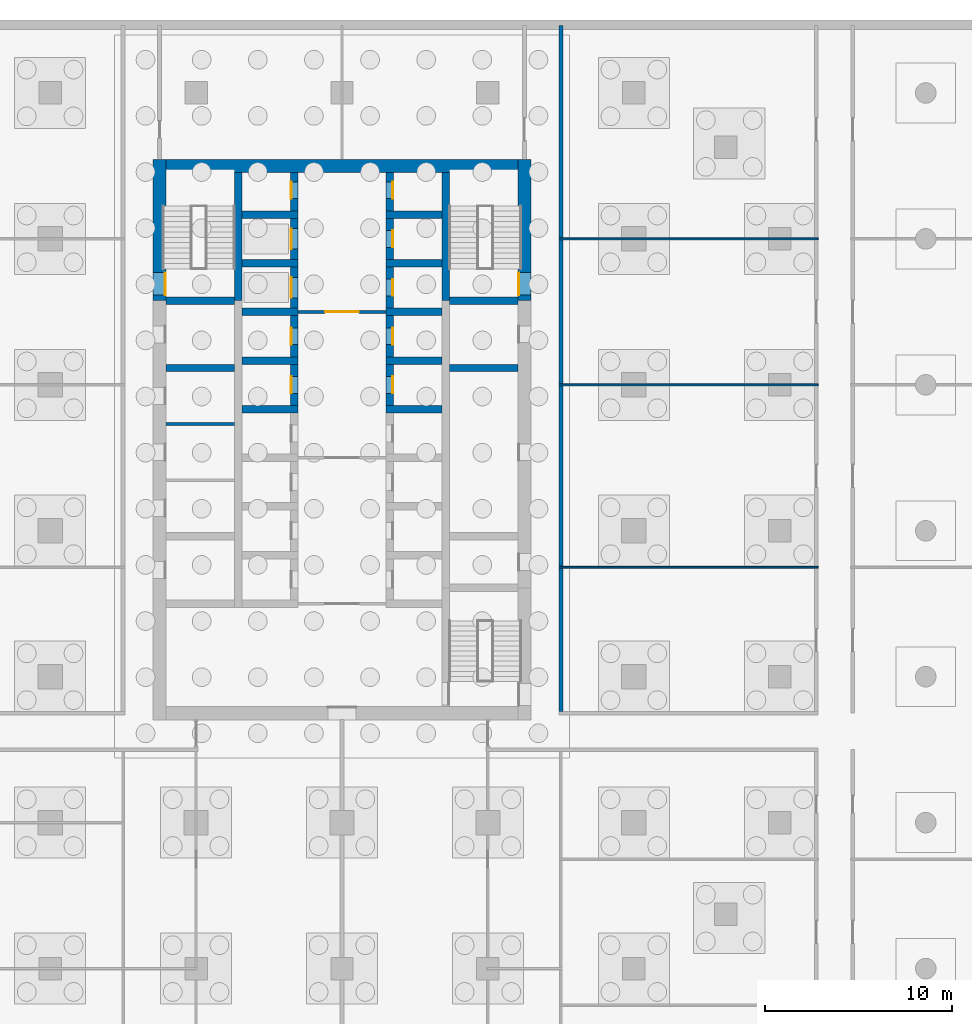
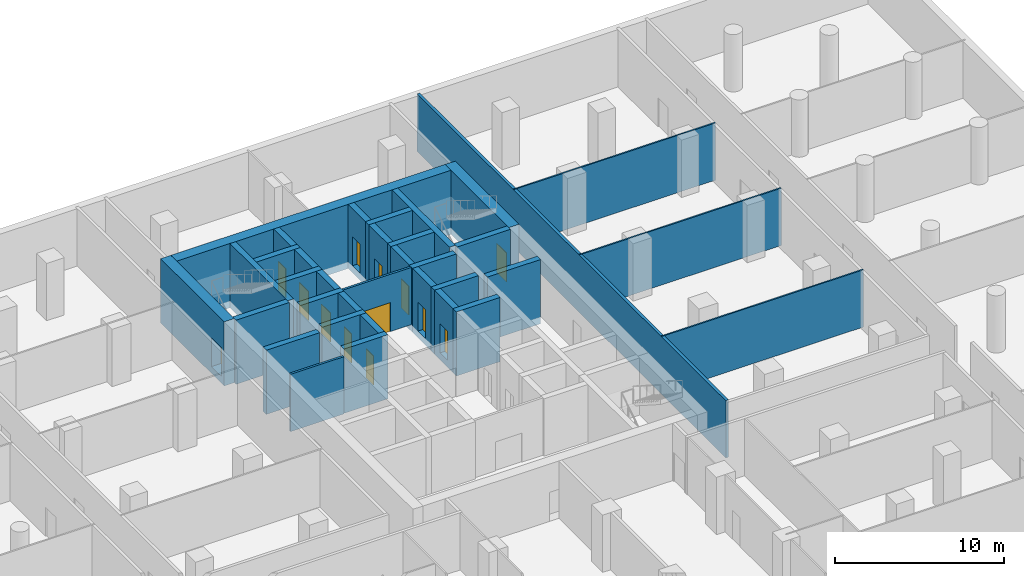
# One storey, part 8 of 16: 35 walls, 13 doors, 13 openings.
"""IFC4 building model written with IfcOpenShell, lengths in metres."""

import ifcopenshell
import ifcopenshell.guid

model = None  # the IFC model being written
_history = None  # IfcOwnerHistory: only IFC2X3 demands one
_inside = {}  # id of a spatial element -> (the spatial element, [elements in it])
_under = {}  # id of a project, library or spatial element -> (it, [spatial elements below it])
_declared = {}  # id of a project -> (the project, [libraries it declares])
_typed = {}  # id of a type object -> (the type object, [elements of that type])
_made_of = {}  # id of a material, layer set ... -> (it, [elements and type objects made of it])


def new_model(schema):
    """Start an empty IFC model of exactly this schema.

    Asked for "IFC4X3", IfcOpenShell would pick the latest addendum, in which some entities
    have other attributes; the version numbers below select the first issue.
    IFC2X3 requires an IfcOwnerHistory on every rooted entity: one is made here for all.
    """
    global model, _history
    if schema == "IFC4X3":
        model = ifcopenshell.file(schema_version=(4, 3, 0, 0))
    else:
        model = ifcopenshell.file(schema=schema)
    _inside.clear()
    _under.clear()
    _declared.clear()
    _typed.clear()
    _made_of.clear()
    _history = None
    if model.schema == "IFC2X3":
        org = make("IfcOrganization", Name="unknown")
        user = make(
            "IfcPersonAndOrganization",
            ThePerson=make("IfcPerson", FamilyName="unknown"),
            TheOrganization=org,
        )
        app = make(
            "IfcApplication",
            ApplicationDeveloper=org,
            Version="unknown",
            ApplicationFullName="unknown",
            ApplicationIdentifier="unknown",
        )
        _history = make(
            "IfcOwnerHistory",
            OwningUser=user,
            OwningApplication=app,
            ChangeAction="ADDED",
            CreationDate=0,
        )
    return model


def make(cls, **values):
    """One entity of the class cls with the attributes given. An attribute that is None is left unset."""
    return model.create_entity(
        cls, **{name: value for name, value in values.items() if value is not None}
    )


def rooted(cls, **values):
    """An entity with a GlobalId (a new one), such as an element, a storey or a relation."""
    return make(cls, GlobalId=ifcopenshell.guid.new(), OwnerHistory=_history, **values)


def si_unit(unit_type, name, prefix=None):
    """IfcSIUnit, for example si_unit("LENGTHUNIT", "METRE", prefix="MILLI")."""
    return make("IfcSIUnit", UnitType=unit_type, Prefix=prefix, Name=name)


def assignment(units):
    """IfcUnitAssignment: the units of a project."""
    return None if units is None else make("IfcUnitAssignment", Units=units)


def point(xyz):
    """IfcCartesianPoint."""
    return None if xyz is None else make("IfcCartesianPoint", Coordinates=xyz)


def direction(xyz):
    """IfcDirection."""
    return None if xyz is None else make("IfcDirection", DirectionRatios=xyz)


def frame(location, z_axis=None, x_axis=None):
    """IfcAxis2Placement3D, a coordinate frame: its origin and axes. An axis left out is left unset."""
    return make(
        "IfcAxis2Placement3D",
        Location=point(location),
        Axis=direction(z_axis),
        RefDirection=direction(x_axis),
    )


def frame_2d(location, x_axis=None):
    """IfcAxis2Placement2D, a coordinate frame in the plane: its origin and x axis."""
    return make(
        "IfcAxis2Placement2D", Location=point(location), RefDirection=direction(x_axis)
    )


def origin():
    """The frame at (0, 0, 0) with its axes left unset."""
    return frame((0.0, 0.0, 0.0))


def place(relative_to, where):
    """IfcLocalPlacement: puts the frame where relative to a parent placement (None: the world)."""
    return make(
        "IfcLocalPlacement", PlacementRelTo=relative_to, RelativePlacement=where
    )


def context(
    kind, dimensions, precision=None, world=None, true_north=None, identifier=None
):
    """IfcGeometricRepresentationContext, for example the 3D "Model" context."""
    return make(
        "IfcGeometricRepresentationContext",
        ContextIdentifier=identifier,
        ContextType=kind,
        CoordinateSpaceDimension=dimensions,
        Precision=precision,
        WorldCoordinateSystem=world,
        TrueNorth=true_north,
    )


def subcontext(parent, identifier, kind, view, scale=None):
    """IfcGeometricRepresentationSubContext, for example "Body" below "Model"."""
    return make(
        "IfcGeometricRepresentationSubContext",
        ContextIdentifier=identifier,
        ContextType=kind,
        ParentContext=parent,
        TargetScale=scale,
        TargetView=view,
    )


def project(units=None, contexts=None):
    """IfcProject with its units and contexts."""
    return rooted(
        "IfcProject",
        Name="project",
        RepresentationContexts=contexts,
        UnitsInContext=assignment(units),
    )


def spatial(cls, under=None, at=None, **own):
    """A site, building, storey or space (cls), placed at a placement, below another one or the project."""
    s = rooted(cls, ObjectPlacement=at, **own)
    if under is not None:
        _under.setdefault(under.id(), (under, []))[1].append(s)
    return s


def profile(cls, at=None, kind="AREA", **sizes):
    """A parametric profile (cls). Its sizes go by their IFC names, for example OverallWidth=200.0."""
    return make(cls, ProfileType=kind, Position=at, **sizes)


def rectangle(**sizes):
    """IfcRectangleProfileDef."""
    return profile("IfcRectangleProfileDef", **sizes)


def extrude(swept, where, along, depth):
    """IfcExtrudedAreaSolid: the profile swept, set in the frame where, extruded along a direction by depth."""
    return make(
        "IfcExtrudedAreaSolid",
        SweptArea=swept,
        Position=where,
        ExtrudedDirection=direction(along),
        Depth=depth,
    )


def shape(context_of_items, identifier, shape_type, items):
    """IfcShapeRepresentation: the items that make up one representation, for example the "Body"."""
    return make(
        "IfcShapeRepresentation",
        ContextOfItems=context_of_items,
        RepresentationIdentifier=identifier,
        RepresentationType=shape_type,
        Items=items,
    )


def material(Name=None, Category=None):
    """IfcMaterial."""
    return make("IfcMaterial", Name=Name, Category=Category)


def layer(
    of_material, thickness, ventilated=None, Name=None, Category=None, Priority=None
):
    """IfcMaterialLayer: one layer of a wall or slab, of a material (None: an air gap)."""
    return make(
        "IfcMaterialLayer",
        Material=of_material,
        LayerThickness=thickness,
        IsVentilated=ventilated,
        Name=Name,
        Category=Category,
        Priority=Priority,
    )


def layer_set(layers, Name=None):
    """IfcMaterialLayerSet."""
    return make("IfcMaterialLayerSet", MaterialLayers=layers, LayerSetName=Name)


def made_of(thing, what):
    """Note that an element or type object is made of a material, layer set ...; save() writes the relation."""
    if what is not None:
        _made_of.setdefault(what.id(), (what, []))[1].append(thing)
    return thing


def type_object(cls, material=None, **own):
    """A type object (cls), such as IfcWallType, which elements share."""
    return made_of(rooted(cls, **own), material)


def element(
    cls,
    number,
    at=None,
    inside=None,
    cuts=None,
    type_object=None,
    material=None,
    context=None,
    identifier="Body",
    shape_type=None,
    held_by="IfcProductDefinitionShape",
    body=None,
    shapes=None,
    **own,
):
    """One element of the class cls, such as IfcWall. Its Tag is "e" and its number.

    at: its placement. inside: the storey or other place that contains it. cuts: it is an
    opening in that element (IfcRelVoidsElement). A single representation is given by context,
    identifier, shape_type and body (its items); several are given by shapes. held_by: the class
    of the entity that holds the representations. save() writes the other relations.
    """
    e = rooted(cls, Tag="e%d" % number, ObjectPlacement=at, **own)
    if body is not None:
        shapes = [shape(context, identifier, shape_type, body)]
    if shapes is not None:
        e.Representation = make(held_by, Representations=shapes)
    if inside is not None:
        _inside.setdefault(inside.id(), (inside, []))[1].append(e)
    if cuts is not None:
        rooted(
            "IfcRelVoidsElement", RelatingBuildingElement=cuts, RelatedOpeningElement=e
        )
    if type_object is not None:
        _typed.setdefault(type_object.id(), (type_object, []))[1].append(e)
    return made_of(e, material)


def fill(opening, filler):
    """IfcRelFillsElement: the door or window that sits in an opening."""
    return rooted(
        "IfcRelFillsElement",
        RelatingOpeningElement=opening,
        RelatedBuildingElement=filler,
    )


def aggregate(whole, parts):
    """IfcRelAggregates: a whole, such as a stair, and the parts it consists of."""
    return rooted("IfcRelAggregates", RelatingObject=whole, RelatedObjects=parts)


def save(model, path):
    """Write the relations noted so far, then the file.

    IfcRelAggregates (storeys below a building ...), IfcRelContainedInSpatialStructure (elements
    in a storey), IfcRelDefinesByType, IfcRelAssociatesMaterial and IfcRelDeclares: one each for
    every whole, place, type object, material and project.
    """
    for whole, parts in _under.values():
        aggregate(whole, parts)
    for where, things in _inside.values():
        rooted(
            "IfcRelContainedInSpatialStructure",
            RelatedElements=things,
            RelatingStructure=where,
        )
    for kind, things in _typed.values():
        rooted("IfcRelDefinesByType", RelatedObjects=things, RelatingType=kind)
    for what, things in _made_of.values():
        rooted("IfcRelAssociatesMaterial", RelatedObjects=things, RelatingMaterial=what)
    for by, libraries in _declared.values():
        rooted("IfcRelDeclares", RelatingContext=by, RelatedDefinitions=libraries)
    model.write(path)


model = new_model("IFC4")

# Units and contexts
model_context = context("Model", 3, precision=1e-05, world=origin(), true_north=direction((0.0, 1.0)))
body_context = subcontext(model_context, "Body", "Model", "MODEL_VIEW")
ifc_project = project(units=[si_unit("LENGTHUNIT", "METRE"), si_unit("AREAUNIT", "SQUARE_METRE"), si_unit("VOLUMEUNIT", "CUBIC_METRE"), si_unit("PLANEANGLEUNIT", "RADIAN"), si_unit("MASSUNIT", "GRAM", prefix="KILO")], contexts=[model_context])

# Site, building, storey
site_placement = place(None, origin())
site = spatial("IfcSite", under=ifc_project, at=site_placement, CompositionType="ELEMENT")
building_placement = place(site_placement, origin())
building = spatial("IfcBuilding", under=site, at=building_placement, Name="Ludao Terraces", CompositionType="ELEMENT")
storey_placement = place(building_placement, frame((0.0, 0.0, -9.0)))
storey = spatial("IfcBuildingStorey", under=building, at=storey_placement, Name="B2", CompositionType="ELEMENT", Elevation=-9.0)

# Wall, opening, door
ifc_material_1 = material(Name="Concrete C70", Category="concrete")
ifc_layer_1 = layer(ifc_material_1, 0.699951171875)
ifc_layer_set_1 = layer_set([ifc_layer_1], Name="Core wall 700 C70")
wall_type_1 = type_object("IfcWallType", Name="Core wall 700 C70", PredefinedType="SOLIDWALL", material=ifc_layer_set_1)
wall_1_placement = place(storey_placement, frame((75.25, 77.300048828125, -0.5), z_axis=(0.0, 0.0, 1.0), x_axis=(0.0, 1.0, 0.0)))
wall_1 = element("IfcWall", 1, at=wall_1_placement, inside=storey, type_object=wall_type_1, Name="Core wall B2 outer-W-S1", PredefinedType="SOLIDWALL", context=body_context, shape_type="SweptSolid", body=[
    extrude(rectangle(XDim=7.550048828125, YDim=0.699951171875, at=frame_2d((3.77490234375, 0.0))), origin(), (0.0, 0.0, 1.0), 4.64990234375),
])
opening_1_placement = place(wall_1_placement, frame((0.300048828125, 0.0, 0.5)))
opening_1 = element("IfcOpeningElement", 2, at=opening_1_placement, cuts=wall_1, Name="Opening B2-065", PredefinedType="OPENING", context=body_context, shape_type="SweptSolid", body=[
    extrude(rectangle(XDim=1.199951171875, YDim=2.10009765625, at=frame_2d((0.60009765625, 1.050048828125))), frame((0.0, 0.35986328125, 0.0), z_axis=(0.0, -1.0, 0.0), x_axis=(1.0, 0.0, 0.0)), (0.0, 0.0, 1.0), 0.719970703125),
])
ifc_material_2 = material(Name="Steel Q235", Category="steel")
door_type_1 = type_object("IfcDoorType", Name="INT Stair door 1200", OperationType="DOUBLE_DOOR_SINGLE_SWING", PredefinedType="DOOR", material=ifc_material_2)
door_1_placement = place(opening_1_placement, origin())
door_1 = element("IfcDoor", 3, at=door_1_placement, inside=storey, type_object=door_type_1, Name="DOOR 065", OperationType="DOUBLE_DOOR_SINGLE_SWING", OverallHeight=2.10009765625, OverallWidth=1.199951171875, PredefinedType="DOOR", context=body_context, shape_type="SweptSolid", body=[
    extrude(rectangle(XDim=1.199951171875, YDim=2.10009765625, at=frame_2d((0.60009765625, 1.050048828125))), frame((0.0, -0.28515625, 0.0), z_axis=(0.0, -1.0, 0.0), x_axis=(1.0, 0.0, 0.0)), (0.0, 0.0, 1.0), 0.050048828125),
])
fill(opening_1, door_1)

wall_2_placement = place(storey_placement, frame((94.75, 77.300048828125, -0.5), z_axis=(0.0, 0.0, 1.0), x_axis=(0.0, 1.0, 0.0)))
wall_2 = element("IfcWall", 4, at=wall_2_placement, inside=storey, type_object=wall_type_1, Name="Core wall B2 outer-E-S2", PredefinedType="SOLIDWALL", context=body_context, shape_type="SweptSolid", body=[
    extrude(rectangle(XDim=7.550048828125, YDim=0.699951171875, at=frame_2d((3.77490234375, 0.0))), origin(), (0.0, 0.0, 1.0), 4.64990234375),
])
opening_2_placement = place(wall_2_placement, frame((0.300048828125, 0.0, 0.5)))
opening_2 = element("IfcOpeningElement", 5, at=opening_2_placement, cuts=wall_2, Name="Opening B2-066", PredefinedType="OPENING", context=body_context, shape_type="SweptSolid", body=[
    extrude(rectangle(XDim=1.199951171875, YDim=2.10009765625, at=frame_2d((0.60009765625, 1.050048828125))), frame((0.0, 0.35986328125, 0.0), z_axis=(0.0, -1.0, 0.0), x_axis=(1.0, 0.0, 0.0)), (0.0, 0.0, 1.0), 0.719970703125),
])
door_2_placement = place(opening_2_placement, origin())
door_2 = element("IfcDoor", 6, at=door_2_placement, inside=storey, type_object=door_type_1, Name="DOOR 066", OperationType="DOUBLE_DOOR_SINGLE_SWING", OverallHeight=2.10009765625, OverallWidth=1.199951171875, PredefinedType="DOOR", context=body_context, shape_type="SweptSolid", body=[
    extrude(rectangle(XDim=1.199951171875, YDim=2.10009765625, at=frame_2d((0.60009765625, 1.050048828125))), frame((0.0, 0.3349609375, 0.0), z_axis=(0.0, -1.0, 0.0), x_axis=(1.0, 0.0, 0.0)), (0.0, 0.0, 1.0), 0.050048828125),
])
fill(opening_2, door_2)

# Walls
wall_3_placement = place(storey_placement, frame((75.60009765625, 84.5, -0.5), z_axis=(0.0, 0.0, 1.0), x_axis=(1.0, 0.0, 0.0)))
element("IfcWall", 7, at=wall_3_placement, inside=storey, type_object=wall_type_1, Name="Core wall B2 outer-N", PredefinedType="SOLIDWALL", context=body_context, shape_type="SweptSolid", body=[
    extrude(rectangle(XDim=18.7998046875, YDim=0.699951171875, at=frame_2d((9.39990234375, 0.0))), origin(), (0.0, 0.0, 1.0), 4.64990234375),
])
ifc_material_3 = material(Name="Fire-rated gypsum plasterboard", Category="gypsum")
ifc_layer_2 = layer(ifc_material_3, 0.012451171875, Category="gypsum")
ifc_material_4 = material(Name="Mineral wool")
ifc_layer_3 = layer(ifc_material_4, 0.10009765625, Name="insulation")
ifc_layer_4 = layer(ifc_material_2, 0.02490234375, Name="stud")
ifc_layer_5 = layer(ifc_material_3, 0.012451171875, Category="gypsum")
ifc_layer_set_2 = layer_set([ifc_layer_2, ifc_layer_3, ifc_layer_4, ifc_layer_5], Name="INT Core partition 150")
wall_type_2 = type_object("IfcWallType", Name="INT Core partition 150", PredefinedType="PARTITIONING", material=ifc_layer_set_2)
wall_4_placement = place(storey_placement, frame((75.60009765625, 70.699951171875, 0.0), z_axis=(0.0, 0.0, 1.0), x_axis=(1.0, 0.0, 0.0)))
element("IfcWall", 8, at=wall_4_placement, inside=storey, type_object=wall_type_2, Name="PW-B2-PW026", PredefinedType="PARTITIONING", context=body_context, shape_type="SweptSolid", body=[
    extrude(rectangle(XDim=3.64990234375, YDim=0.14990234375, at=frame_2d((1.824951171875, 0.0))), origin(), (0.0, 0.0, 1.0), 4.14990234375),
])

# Wall, opening, door
wall_5_placement = place(storey_placement, frame((82.650146484375, 76.699951171875, 0.0), z_axis=(0.0, 0.0, 1.0), x_axis=(1.0, 0.0, 0.0)))
wall_5 = element("IfcWall", 9, at=wall_5_placement, inside=storey, type_object=wall_type_2, Name="PW-B2-PW031", PredefinedType="PARTITIONING", context=body_context, shape_type="SweptSolid", body=[
    extrude(rectangle(XDim=4.699951171875, YDim=0.14990234375, at=frame_2d((2.35009765625, 0.0))), origin(), (0.0, 0.0, 1.0), 4.14990234375),
])
opening_3_placement = place(wall_5_placement, frame((1.449951171875, 0.0, 0.0)))
opening_3 = element("IfcOpeningElement", 10, at=opening_3_placement, cuts=wall_5, Name="Opening B2-060", PredefinedType="OPENING", context=body_context, shape_type="SweptSolid", body=[
    extrude(rectangle(XDim=1.800048828125, YDim=2.10009765625, at=frame_2d((0.89990234375, 1.050048828125))), frame((0.0, 0.0849609375, 0.0), z_axis=(0.0, -1.0, 0.0), x_axis=(1.0, 0.0, 0.0)), (0.0, 0.0, 1.0), 0.169921875),
])
door_type_2 = type_object("IfcDoorType", Name="INT Fire lobby door 1800", OperationType="DOUBLE_DOOR_SINGLE_SWING", PredefinedType="DOOR", material=ifc_material_2)
door_3_placement = place(opening_3_placement, origin())
door_3 = element("IfcDoor", 11, at=door_3_placement, inside=storey, type_object=door_type_2, Name="DOOR 060", OperationType="DOUBLE_DOOR_SINGLE_SWING", OverallHeight=2.10009765625, OverallWidth=1.800048828125, PredefinedType="DOOR", context=body_context, shape_type="SweptSolid", body=[
    extrude(rectangle(XDim=1.800048828125, YDim=2.10009765625, at=frame_2d((0.89990234375, 1.050048828125))), frame((0.0, 0.02490234375, 0.0), z_axis=(0.0, -1.0, 0.0), x_axis=(1.0, 0.0, 0.0)), (0.0, 0.0, 1.0), 0.050048828125),
])
fill(opening_3, door_3)

# Walls
ifc_material_5 = material(Name="Autoclaved aerated concrete block B06 A3.5", Category="concrete")
ifc_layer_6 = layer(ifc_material_5, 0.199951171875)
ifc_layer_set_3 = layer_set([ifc_layer_6], Name="INT Entrance wall 200")
wall_type_3 = type_object("IfcWallType", Name="INT Entrance wall 200", PredefinedType="PARTITIONING", material=ifc_layer_set_3)
wall_6_placement = place(storey_placement, frame((96.699951171875, 55.35009765625, 0.0), z_axis=(0.0, 0.0, 1.0), x_axis=(0.0, 1.0, 0.0)))
element("IfcWall", 12, at=wall_6_placement, inside=storey, type_object=wall_type_3, Name="PW-B2-PW053", PredefinedType="PARTITIONING", context=body_context, shape_type="SweptSolid", body=[
    extrude(rectangle(XDim=36.64990234375, YDim=0.199951171875, at=frame_2d((18.324951171875, 0.0))), origin(), (0.0, 0.0, 1.0), 4.14990234375),
])
ifc_material_6 = material(Name="Gypsum plasterboard", Category="gypsum")
ifc_layer_7 = layer(ifc_material_6, 0.012451171875, Category="gypsum")
ifc_layer_8 = layer(ifc_material_4, 0.06005859375, Name="insulation")
ifc_layer_9 = layer(ifc_material_2, 0.014892578125, Name="stud")
ifc_layer_10 = layer(ifc_material_6, 0.012451171875, Category="gypsum")
ifc_layer_set_4 = layer_set([ifc_layer_7, ifc_layer_8, ifc_layer_9, ifc_layer_10], Name="INT Partition 100")
wall_type_4 = type_object("IfcWallType", Name="INT Partition 100", PredefinedType="PARTITIONING", material=ifc_layer_set_4)
for number, where, z_axis, x_axis, name in (
    (13, (96.60009765625, 63.050048828125, 0.0), (0.0, 0.0, 1.0), (1.0, 0.0, 0.0), "PW-B2-PW022"),
    (14, (96.60009765625, 72.800048828125, 0.0), (0.0, 0.0, 1.0), (1.0, 0.0, 0.0), "PW-B2-PW029"),
    (15, (96.60009765625, 80.60009765625, 0.0), (0.0, 0.0, 1.0), (1.0, 0.0, 0.0), "PW-B2-PW034"),
):
    element("IfcWall", number, at=place(storey_placement, frame(where, z_axis=z_axis, x_axis=x_axis)), inside=storey, type_object=wall_type_4, Name=name, PredefinedType="PARTITIONING", context=body_context, shape_type="SweptSolid", body=[
        extrude(rectangle(XDim=13.85009765625, YDim=0.10009765625, at=frame_2d((6.925048828125, 0.0))), origin(), (0.0, 0.0, 1.0), 4.14990234375),
    ])
ifc_material_7 = material(Name="Concrete C60", Category="concrete")
ifc_layer_11 = layer(ifc_material_7, 0.39990234375)
ifc_layer_set_5 = layer_set([ifc_layer_11], Name="Shaft wall 400 C60")
wall_type_5 = type_object("IfcWallType", Name="Shaft wall 400 C60", PredefinedType="SOLIDWALL", material=ifc_layer_set_5)
for number, where, z_axis, x_axis, name in (
    (16, (79.449951171875, 77.300048828125, -0.5), (0.0, 0.0, 1.0), (0.0, 1.0, 0.0), "Core wall B2 back-W-S1"),
    (17, (90.550048828125, 77.300048828125, -0.5), (0.0, 0.0, 1.0), (0.0, 1.0, 0.0), "Core wall B2 back-E-S2"),
):
    element("IfcWall", number, at=place(storey_placement, frame(where, z_axis=z_axis, x_axis=x_axis)), inside=storey, type_object=wall_type_5, Name=name, PredefinedType="SOLIDWALL", context=body_context, shape_type="SweptSolid", body=[
        extrude(rectangle(XDim=6.849853515625, YDim=0.39990234375, at=frame_2d((3.4248046875, 0.0))), origin(), (0.0, 0.0, 1.0), 4.64990234375),
    ])
wall_7_placement = place(storey_placement, frame((79.64990234375, 71.5, -0.5), z_axis=(0.0, 0.0, 1.0), x_axis=(1.0, 0.0, 0.0)))
element("IfcWall", 18, at=wall_7_placement, inside=storey, type_object=wall_type_5, Name="Core wall B2 div-W5", PredefinedType="SOLIDWALL", context=body_context, shape_type="SweptSolid", body=[
    extrude(rectangle(XDim=3.0, YDim=0.39990234375, at=frame_2d((1.5, 0.0))), origin(), (0.0, 0.0, 1.0), 4.64990234375),
])

# Wall, opening, door
wall_8_placement = place(storey_placement, frame((82.449951171875, 71.699951171875, -0.5), z_axis=(0.0, 0.0, 1.0), x_axis=(0.0, 1.0, 0.0)))
wall_8 = element("IfcWall", 19, at=wall_8_placement, inside=storey, type_object=wall_type_5, Name="Core wall B2 front-W5", PredefinedType="SOLIDWALL", context=body_context, shape_type="SweptSolid", body=[
    extrude(rectangle(XDim=2.199951171875, YDim=0.39990234375, at=frame_2d((1.10009765625, 0.0))), origin(), (0.0, 0.0, 1.0), 4.64990234375),
])
opening_4_placement = place(wall_8_placement, frame((0.64990234375, 0.0, 0.5)))
opening_4 = element("IfcOpeningElement", 20, at=opening_4_placement, cuts=wall_8, Name="Opening B2-052", PredefinedType="OPENING", context=body_context, shape_type="SweptSolid", body=[
    extrude(rectangle(XDim=0.89990234375, YDim=2.10009765625, at=frame_2d((0.449951171875, 1.050048828125))), frame((0.0, 0.2099609375, 0.0), z_axis=(0.0, -1.0, 0.0), x_axis=(1.0, 0.0, 0.0)), (0.0, 0.0, 1.0), 0.419921875),
])
ifc_material_8 = material(Name="Timber door leaf", Category="wood")
door_type_3 = type_object("IfcDoorType", Name="INT Room door 900", OperationType="SINGLE_SWING_LEFT", PredefinedType="DOOR", material=ifc_material_8)
door_4_placement = place(opening_4_placement, origin())
door_4 = element("IfcDoor", 21, at=door_4_placement, inside=storey, type_object=door_type_3, Name="DOOR 052", OperationType="SINGLE_SWING_LEFT", OverallHeight=2.10009765625, OverallWidth=0.89990234375, PredefinedType="DOOR", context=body_context, shape_type="SweptSolid", body=[
    extrude(rectangle(XDim=0.89990234375, YDim=2.10009765625, at=frame_2d((0.449951171875, 1.050048828125))), frame((0.0, 0.18505859375, 0.0), z_axis=(0.0, -1.0, 0.0), x_axis=(1.0, 0.0, 0.0)), (0.0, 0.0, 1.0), 0.050048828125),
])
fill(opening_4, door_4)

# Wall
wall_9_placement = place(storey_placement, frame((79.64990234375, 74.10009765625, -0.5), z_axis=(0.0, 0.0, 1.0), x_axis=(1.0, 0.0, 0.0)))
element("IfcWall", 22, at=wall_9_placement, inside=storey, type_object=wall_type_5, Name="Core wall B2 div-W6", PredefinedType="SOLIDWALL", context=body_context, shape_type="SweptSolid", body=[
    extrude(rectangle(XDim=3.0, YDim=0.39990234375, at=frame_2d((1.5, 0.0))), origin(), (0.0, 0.0, 1.0), 4.64990234375),
])

# Wall, opening, door
wall_10_placement = place(storey_placement, frame((82.449951171875, 74.300048828125, -0.5), z_axis=(0.0, 0.0, 1.0), x_axis=(0.0, 1.0, 0.0)))
wall_10 = element("IfcWall", 23, at=wall_10_placement, inside=storey, type_object=wall_type_5, Name="Core wall B2 front-W6", PredefinedType="SOLIDWALL", context=body_context, shape_type="SweptSolid", body=[
    extrude(rectangle(XDim=2.199951171875, YDim=0.39990234375, at=frame_2d((1.10009765625, 0.0))), origin(), (0.0, 0.0, 1.0), 4.64990234375),
])
opening_5_placement = place(wall_10_placement, frame((0.64990234375, 0.0, 0.5)))
opening_5 = element("IfcOpeningElement", 24, at=opening_5_placement, cuts=wall_10, Name="Opening B2-054", PredefinedType="OPENING", context=body_context, shape_type="SweptSolid", body=[
    extrude(rectangle(XDim=0.89990234375, YDim=2.10009765625, at=frame_2d((0.449951171875, 1.050048828125))), frame((0.0, 0.2099609375, 0.0), z_axis=(0.0, -1.0, 0.0), x_axis=(1.0, 0.0, 0.0)), (0.0, 0.0, 1.0), 0.419921875),
])
door_5_placement = place(opening_5_placement, origin())
door_5 = element("IfcDoor", 25, at=door_5_placement, inside=storey, type_object=door_type_3, Name="DOOR 054", OperationType="SINGLE_SWING_RIGHT", OverallHeight=2.10009765625, OverallWidth=0.89990234375, PredefinedType="DOOR", context=body_context, shape_type="SweptSolid", body=[
    extrude(rectangle(XDim=0.89990234375, YDim=2.10009765625, at=frame_2d((0.449951171875, 1.050048828125))), frame((0.0, 0.18505859375, 0.0), z_axis=(0.0, -1.0, 0.0), x_axis=(1.0, 0.0, 0.0)), (0.0, 0.0, 1.0), 0.050048828125),
])
fill(opening_5, door_5)

# Wall
wall_11_placement = place(storey_placement, frame((79.64990234375, 76.699951171875, -0.5), z_axis=(0.0, 0.0, 1.0), x_axis=(1.0, 0.0, 0.0)))
element("IfcWall", 26, at=wall_11_placement, inside=storey, type_object=wall_type_5, Name="Core wall B2 div-W7", PredefinedType="SOLIDWALL", context=body_context, shape_type="SweptSolid", body=[
    extrude(rectangle(XDim=3.0, YDim=0.39990234375, at=frame_2d((1.5, 0.0))), origin(), (0.0, 0.0, 1.0), 4.64990234375),
])

# Wall, opening, door
wall_12_placement = place(storey_placement, frame((82.449951171875, 76.89990234375, -0.5), z_axis=(0.0, 0.0, 1.0), x_axis=(0.0, 1.0, 0.0)))
wall_12 = element("IfcWall", 27, at=wall_12_placement, inside=storey, type_object=wall_type_5, Name="Core wall B2 front-W7", PredefinedType="SOLIDWALL", context=body_context, shape_type="SweptSolid", body=[
    extrude(rectangle(XDim=2.2001953125, YDim=0.39990234375, at=frame_2d((1.10009765625, 0.0))), origin(), (0.0, 0.0, 1.0), 4.64990234375),
])
opening_6_placement = place(wall_12_placement, frame((0.550048828125, 0.0, 0.5)))
opening_6 = element("IfcOpeningElement", 28, at=opening_6_placement, cuts=wall_12, Name="Opening LD-FF1", PredefinedType="OPENING", context=body_context, shape_type="SweptSolid", body=[
    extrude(rectangle(XDim=1.10009765625, YDim=2.10009765625, at=frame_2d((0.550048828125, 1.050048828125))), frame((0.0, 0.2099609375, 0.0), z_axis=(0.0, -1.0, 0.0), x_axis=(1.0, 0.0, 0.0)), (0.0, 0.0, 1.0), 0.419921875),
])
ifc_material_9 = material(Name="Stainless steel 304", Category="steel")
door_type_4 = type_object("IfcDoorType", Name="INT Lift landing door 1100", OperationType="SLIDING_TO_LEFT", PredefinedType="DOOR", material=ifc_material_9)
door_6_placement = place(opening_6_placement, origin())
door_6 = element("IfcDoor", 29, at=door_6_placement, inside=storey, type_object=door_type_4, Name="LANDING DOOR FF1 B2", OperationType="SLIDING_TO_LEFT", OverallHeight=2.10009765625, OverallWidth=1.10009765625, PredefinedType="DOOR", context=body_context, shape_type="SweptSolid", body=[
    extrude(rectangle(XDim=1.10009765625, YDim=2.10009765625, at=frame_2d((0.550048828125, 1.050048828125))), frame((0.0, 0.18505859375, 0.0), z_axis=(0.0, -1.0, 0.0), x_axis=(1.0, 0.0, 0.0)), (0.0, 0.0, 1.0), 0.050048828125),
])
fill(opening_6, door_6)

# Wall
wall_13_placement = place(storey_placement, frame((79.64990234375, 79.300048828125, -0.5), z_axis=(0.0, 0.0, 1.0), x_axis=(1.0, 0.0, 0.0)))
element("IfcWall", 30, at=wall_13_placement, inside=storey, type_object=wall_type_5, Name="Core wall B2 div-W8", PredefinedType="SOLIDWALL", context=body_context, shape_type="SweptSolid", body=[
    extrude(rectangle(XDim=3.0, YDim=0.39990234375, at=frame_2d((1.5, 0.0))), origin(), (0.0, 0.0, 1.0), 4.64990234375),
])

# Wall, opening, door
wall_14_placement = place(storey_placement, frame((82.449951171875, 79.5, -0.5), z_axis=(0.0, 0.0, 1.0), x_axis=(0.0, 1.0, 0.0)))
wall_14 = element("IfcWall", 31, at=wall_14_placement, inside=storey, type_object=wall_type_5, Name="Core wall B2 front-W8", PredefinedType="SOLIDWALL", context=body_context, shape_type="SweptSolid", body=[
    extrude(rectangle(XDim=2.199951171875, YDim=0.39990234375, at=frame_2d((1.10009765625, 0.0))), origin(), (0.0, 0.0, 1.0), 4.64990234375),
])
opening_7_placement = place(wall_14_placement, frame((0.550048828125, 0.0, 0.5)))
opening_7 = element("IfcOpeningElement", 32, at=opening_7_placement, cuts=wall_14, Name="Opening LD-FF2", PredefinedType="OPENING", context=body_context, shape_type="SweptSolid", body=[
    extrude(rectangle(XDim=1.10009765625, YDim=2.10009765625, at=frame_2d((0.550048828125, 1.050048828125))), frame((0.0, 0.2099609375, 0.0), z_axis=(0.0, -1.0, 0.0), x_axis=(1.0, 0.0, 0.0)), (0.0, 0.0, 1.0), 0.419921875),
])
door_7_placement = place(opening_7_placement, origin())
door_7 = element("IfcDoor", 33, at=door_7_placement, inside=storey, type_object=door_type_4, Name="LANDING DOOR FF2 B2", OperationType="SLIDING_TO_LEFT", OverallHeight=2.10009765625, OverallWidth=1.10009765625, PredefinedType="DOOR", context=body_context, shape_type="SweptSolid", body=[
    extrude(rectangle(XDim=1.10009765625, YDim=2.10009765625, at=frame_2d((0.550048828125, 1.050048828125))), frame((0.0, 0.18505859375, 0.0), z_axis=(0.0, -1.0, 0.0), x_axis=(1.0, 0.0, 0.0)), (0.0, 0.0, 1.0), 0.050048828125),
])
fill(opening_7, door_7)

# Wall
wall_15_placement = place(storey_placement, frame((79.64990234375, 81.89990234375, -0.5), z_axis=(0.0, 0.0, 1.0), x_axis=(1.0, 0.0, 0.0)))
element("IfcWall", 34, at=wall_15_placement, inside=storey, type_object=wall_type_5, Name="Core wall B2 div-W9", PredefinedType="SOLIDWALL", context=body_context, shape_type="SweptSolid", body=[
    extrude(rectangle(XDim=3.0, YDim=0.39990234375, at=frame_2d((1.5, 0.0))), origin(), (0.0, 0.0, 1.0), 4.64990234375),
])

# Wall, opening, door
wall_16_placement = place(storey_placement, frame((82.449951171875, 82.10009765625, -0.5), z_axis=(0.0, 0.0, 1.0), x_axis=(0.0, 1.0, 0.0)))
wall_16 = element("IfcWall", 35, at=wall_16_placement, inside=storey, type_object=wall_type_5, Name="Core wall B2 front-W9", PredefinedType="SOLIDWALL", context=body_context, shape_type="SweptSolid", body=[
    extrude(rectangle(XDim=2.0498046875, YDim=0.39990234375, at=frame_2d((1.02490234375, 0.0))), origin(), (0.0, 0.0, 1.0), 4.64990234375),
])
opening_8_placement = place(wall_16_placement, frame((0.64990234375, 0.0, 0.5)))
opening_8 = element("IfcOpeningElement", 36, at=opening_8_placement, cuts=wall_16, Name="Opening B2-069", PredefinedType="OPENING", context=body_context, shape_type="SweptSolid", body=[
    extrude(rectangle(XDim=0.89990234375, YDim=2.10009765625, at=frame_2d((0.449951171875, 1.050048828125))), frame((0.0, 0.2099609375, 0.0), z_axis=(0.0, -1.0, 0.0), x_axis=(1.0, 0.0, 0.0)), (0.0, 0.0, 1.0), 0.419921875),
])
door_8_placement = place(opening_8_placement, origin())
door_8 = element("IfcDoor", 37, at=door_8_placement, inside=storey, type_object=door_type_3, Name="DOOR 069", OperationType="SINGLE_SWING_RIGHT", OverallHeight=2.10009765625, OverallWidth=0.89990234375, PredefinedType="DOOR", context=body_context, shape_type="SweptSolid", body=[
    extrude(rectangle(XDim=0.89990234375, YDim=2.10009765625, at=frame_2d((0.449951171875, 1.050048828125))), frame((0.0, 0.18505859375, 0.0), z_axis=(0.0, -1.0, 0.0), x_axis=(1.0, 0.0, 0.0)), (0.0, 0.0, 1.0), 0.050048828125),
])
fill(opening_8, door_8)

# Wall
wall_17_placement = place(storey_placement, frame((87.35009765625, 71.5, -0.5), z_axis=(0.0, 0.0, 1.0), x_axis=(1.0, 0.0, 0.0)))
element("IfcWall", 38, at=wall_17_placement, inside=storey, type_object=wall_type_5, Name="Core wall B2 div-E5", PredefinedType="SOLIDWALL", context=body_context, shape_type="SweptSolid", body=[
    extrude(rectangle(XDim=3.0, YDim=0.39990234375, at=frame_2d((1.5, 0.0))), origin(), (0.0, 0.0, 1.0), 4.64990234375),
])

# Wall, opening, door
wall_18_placement = place(storey_placement, frame((87.550048828125, 71.699951171875, -0.5), z_axis=(0.0, 0.0, 1.0), x_axis=(0.0, 1.0, 0.0)))
wall_18 = element("IfcWall", 39, at=wall_18_placement, inside=storey, type_object=wall_type_5, Name="Core wall B2 front-E5", PredefinedType="SOLIDWALL", context=body_context, shape_type="SweptSolid", body=[
    extrude(rectangle(XDim=2.199951171875, YDim=0.39990234375, at=frame_2d((1.10009765625, 0.0))), origin(), (0.0, 0.0, 1.0), 4.64990234375),
])
opening_9_placement = place(wall_18_placement, frame((0.64990234375, 0.0, 0.5)))
opening_9 = element("IfcOpeningElement", 40, at=opening_9_placement, cuts=wall_18, Name="Opening B2-053", PredefinedType="OPENING", context=body_context, shape_type="SweptSolid", body=[
    extrude(rectangle(XDim=0.89990234375, YDim=2.10009765625, at=frame_2d((0.449951171875, 1.050048828125))), frame((0.0, 0.2099609375, 0.0), z_axis=(0.0, -1.0, 0.0), x_axis=(1.0, 0.0, 0.0)), (0.0, 0.0, 1.0), 0.419921875),
])
door_9_placement = place(opening_9_placement, origin())
door_9 = element("IfcDoor", 41, at=door_9_placement, inside=storey, type_object=door_type_3, Name="DOOR 053", OperationType="SINGLE_SWING_RIGHT", OverallHeight=2.10009765625, OverallWidth=0.89990234375, PredefinedType="DOOR", context=body_context, shape_type="SweptSolid", body=[
    extrude(rectangle(XDim=0.89990234375, YDim=2.10009765625, at=frame_2d((0.449951171875, 1.050048828125))), frame((0.0, -0.134765625, 0.0), z_axis=(0.0, -1.0, 0.0), x_axis=(1.0, 0.0, 0.0)), (0.0, 0.0, 1.0), 0.050048828125),
])
fill(opening_9, door_9)

# Wall
wall_19_placement = place(storey_placement, frame((87.35009765625, 74.10009765625, -0.5), z_axis=(0.0, 0.0, 1.0), x_axis=(1.0, 0.0, 0.0)))
element("IfcWall", 42, at=wall_19_placement, inside=storey, type_object=wall_type_5, Name="Core wall B2 div-E6", PredefinedType="SOLIDWALL", context=body_context, shape_type="SweptSolid", body=[
    extrude(rectangle(XDim=3.0, YDim=0.39990234375, at=frame_2d((1.5, 0.0))), origin(), (0.0, 0.0, 1.0), 4.64990234375),
])

# Wall, opening, door
wall_20_placement = place(storey_placement, frame((87.550048828125, 74.300048828125, -0.5), z_axis=(0.0, 0.0, 1.0), x_axis=(0.0, 1.0, 0.0)))
wall_20 = element("IfcWall", 43, at=wall_20_placement, inside=storey, type_object=wall_type_5, Name="Core wall B2 front-E6", PredefinedType="SOLIDWALL", context=body_context, shape_type="SweptSolid", body=[
    extrude(rectangle(XDim=2.199951171875, YDim=0.39990234375, at=frame_2d((1.10009765625, 0.0))), origin(), (0.0, 0.0, 1.0), 4.64990234375),
])
opening_10_placement = place(wall_20_placement, frame((0.64990234375, 0.0, 0.5)))
opening_10 = element("IfcOpeningElement", 44, at=opening_10_placement, cuts=wall_20, Name="Opening B2-055", PredefinedType="OPENING", context=body_context, shape_type="SweptSolid", body=[
    extrude(rectangle(XDim=0.89990234375, YDim=2.10009765625, at=frame_2d((0.449951171875, 1.050048828125))), frame((0.0, 0.2099609375, 0.0), z_axis=(0.0, -1.0, 0.0), x_axis=(1.0, 0.0, 0.0)), (0.0, 0.0, 1.0), 0.419921875),
])
door_10_placement = place(opening_10_placement, origin())
door_10 = element("IfcDoor", 45, at=door_10_placement, inside=storey, type_object=door_type_3, Name="DOOR 055", OperationType="SINGLE_SWING_LEFT", OverallHeight=2.10009765625, OverallWidth=0.89990234375, PredefinedType="DOOR", context=body_context, shape_type="SweptSolid", body=[
    extrude(rectangle(XDim=0.89990234375, YDim=2.10009765625, at=frame_2d((0.449951171875, 1.050048828125))), frame((0.0, -0.134765625, 0.0), z_axis=(0.0, -1.0, 0.0), x_axis=(1.0, 0.0, 0.0)), (0.0, 0.0, 1.0), 0.050048828125),
])
fill(opening_10, door_10)

# Wall
wall_21_placement = place(storey_placement, frame((87.35009765625, 76.699951171875, -0.5), z_axis=(0.0, 0.0, 1.0), x_axis=(1.0, 0.0, 0.0)))
element("IfcWall", 46, at=wall_21_placement, inside=storey, type_object=wall_type_5, Name="Core wall B2 div-E7", PredefinedType="SOLIDWALL", context=body_context, shape_type="SweptSolid", body=[
    extrude(rectangle(XDim=3.0, YDim=0.39990234375, at=frame_2d((1.5, 0.0))), origin(), (0.0, 0.0, 1.0), 4.64990234375),
])

# Wall, opening, door
wall_22_placement = place(storey_placement, frame((87.550048828125, 76.89990234375, -0.5), z_axis=(0.0, 0.0, 1.0), x_axis=(0.0, 1.0, 0.0)))
wall_22 = element("IfcWall", 47, at=wall_22_placement, inside=storey, type_object=wall_type_5, Name="Core wall B2 front-E7", PredefinedType="SOLIDWALL", context=body_context, shape_type="SweptSolid", body=[
    extrude(rectangle(XDim=2.2001953125, YDim=0.39990234375, at=frame_2d((1.10009765625, 0.0))), origin(), (0.0, 0.0, 1.0), 4.64990234375),
])
opening_11_placement = place(wall_22_placement, frame((0.64990234375, 0.0, 0.5)))
opening_11 = element("IfcOpeningElement", 48, at=opening_11_placement, cuts=wall_22, Name="Opening B2-064", PredefinedType="OPENING", context=body_context, shape_type="SweptSolid", body=[
    extrude(rectangle(XDim=0.89990234375, YDim=2.10009765625, at=frame_2d((0.449951171875, 1.050048828125))), frame((0.0, 0.2099609375, 0.0), z_axis=(0.0, -1.0, 0.0), x_axis=(1.0, 0.0, 0.0)), (0.0, 0.0, 1.0), 0.419921875),
])
door_11_placement = place(opening_11_placement, origin())
door_11 = element("IfcDoor", 49, at=door_11_placement, inside=storey, type_object=door_type_3, Name="DOOR 064", OperationType="SINGLE_SWING_RIGHT", OverallHeight=2.10009765625, OverallWidth=0.89990234375, PredefinedType="DOOR", context=body_context, shape_type="SweptSolid", body=[
    extrude(rectangle(XDim=0.89990234375, YDim=2.10009765625, at=frame_2d((0.449951171875, 1.050048828125))), frame((0.0, -0.134765625, 0.0), z_axis=(0.0, -1.0, 0.0), x_axis=(1.0, 0.0, 0.0)), (0.0, 0.0, 1.0), 0.050048828125),
])
fill(opening_11, door_11)

# Wall
wall_23_placement = place(storey_placement, frame((87.35009765625, 79.300048828125, -0.5), z_axis=(0.0, 0.0, 1.0), x_axis=(1.0, 0.0, 0.0)))
element("IfcWall", 50, at=wall_23_placement, inside=storey, type_object=wall_type_5, Name="Core wall B2 div-E8", PredefinedType="SOLIDWALL", context=body_context, shape_type="SweptSolid", body=[
    extrude(rectangle(XDim=3.0, YDim=0.39990234375, at=frame_2d((1.5, 0.0))), origin(), (0.0, 0.0, 1.0), 4.64990234375),
])

# Wall, opening, door
wall_24_placement = place(storey_placement, frame((87.550048828125, 79.5, -0.5), z_axis=(0.0, 0.0, 1.0), x_axis=(0.0, 1.0, 0.0)))
wall_24 = element("IfcWall", 51, at=wall_24_placement, inside=storey, type_object=wall_type_5, Name="Core wall B2 front-E8", PredefinedType="SOLIDWALL", context=body_context, shape_type="SweptSolid", body=[
    extrude(rectangle(XDim=2.199951171875, YDim=0.39990234375, at=frame_2d((1.10009765625, 0.0))), origin(), (0.0, 0.0, 1.0), 4.64990234375),
])
opening_12_placement = place(wall_24_placement, frame((0.64990234375, 0.0, 0.5)))
opening_12 = element("IfcOpeningElement", 52, at=opening_12_placement, cuts=wall_24, Name="Opening B2-068", PredefinedType="OPENING", context=body_context, shape_type="SweptSolid", body=[
    extrude(rectangle(XDim=0.89990234375, YDim=2.10009765625, at=frame_2d((0.449951171875, 1.050048828125))), frame((0.0, 0.2099609375, 0.0), z_axis=(0.0, -1.0, 0.0), x_axis=(1.0, 0.0, 0.0)), (0.0, 0.0, 1.0), 0.419921875),
])
door_12_placement = place(opening_12_placement, origin())
door_12 = element("IfcDoor", 53, at=door_12_placement, inside=storey, type_object=door_type_3, Name="DOOR 068", OperationType="SINGLE_SWING_RIGHT", OverallHeight=2.10009765625, OverallWidth=0.89990234375, PredefinedType="DOOR", context=body_context, shape_type="SweptSolid", body=[
    extrude(rectangle(XDim=0.89990234375, YDim=2.10009765625, at=frame_2d((0.449951171875, 1.050048828125))), frame((0.0, -0.134765625, 0.0), z_axis=(0.0, -1.0, 0.0), x_axis=(1.0, 0.0, 0.0)), (0.0, 0.0, 1.0), 0.050048828125),
])
fill(opening_12, door_12)

# Wall
wall_25_placement = place(storey_placement, frame((87.35009765625, 81.89990234375, -0.5), z_axis=(0.0, 0.0, 1.0), x_axis=(1.0, 0.0, 0.0)))
element("IfcWall", 54, at=wall_25_placement, inside=storey, type_object=wall_type_5, Name="Core wall B2 div-E9", PredefinedType="SOLIDWALL", context=body_context, shape_type="SweptSolid", body=[
    extrude(rectangle(XDim=3.0, YDim=0.39990234375, at=frame_2d((1.5, 0.0))), origin(), (0.0, 0.0, 1.0), 4.64990234375),
])

# Wall, opening, door
wall_26_placement = place(storey_placement, frame((87.550048828125, 82.10009765625, -0.5), z_axis=(0.0, 0.0, 1.0), x_axis=(0.0, 1.0, 0.0)))
wall_26 = element("IfcWall", 55, at=wall_26_placement, inside=storey, type_object=wall_type_5, Name="Core wall B2 front-E9", PredefinedType="SOLIDWALL", context=body_context, shape_type="SweptSolid", body=[
    extrude(rectangle(XDim=2.0498046875, YDim=0.39990234375, at=frame_2d((1.02490234375, 0.0))), origin(), (0.0, 0.0, 1.0), 4.64990234375),
])
opening_13_placement = place(wall_26_placement, frame((0.64990234375, 0.0, 0.5)))
opening_13 = element("IfcOpeningElement", 56, at=opening_13_placement, cuts=wall_26, Name="Opening B2-070", PredefinedType="OPENING", context=body_context, shape_type="SweptSolid", body=[
    extrude(rectangle(XDim=0.89990234375, YDim=2.10009765625, at=frame_2d((0.449951171875, 1.050048828125))), frame((0.0, 0.2099609375, 0.0), z_axis=(0.0, -1.0, 0.0), x_axis=(1.0, 0.0, 0.0)), (0.0, 0.0, 1.0), 0.419921875),
])
door_13_placement = place(opening_13_placement, origin())
door_13 = element("IfcDoor", 57, at=door_13_placement, inside=storey, type_object=door_type_3, Name="DOOR 070", OperationType="SINGLE_SWING_LEFT", OverallHeight=2.10009765625, OverallWidth=0.89990234375, PredefinedType="DOOR", context=body_context, shape_type="SweptSolid", body=[
    extrude(rectangle(XDim=0.89990234375, YDim=2.10009765625, at=frame_2d((0.449951171875, 1.050048828125))), frame((0.0, -0.134765625, 0.0), z_axis=(0.0, -1.0, 0.0), x_axis=(1.0, 0.0, 0.0)), (0.0, 0.0, 1.0), 0.050048828125),
])
fill(opening_13, door_13)

# Walls
for number, where, z_axis, x_axis, name in (
    (58, (75.60009765625, 73.699951171875, -0.5), (0.0, 0.0, 1.0), (1.0, 0.0, 0.0), "Core wall B2 riser-b-W"),
    (59, (75.60009765625, 77.300048828125, -0.5), (0.0, 0.0, 1.0), (1.0, 0.0, 0.0), "Core wall B2 stair-W"),
    (60, (90.75, 73.699951171875, -0.5), (0.0, 0.0, 1.0), (1.0, 0.0, 0.0), "Core wall B2 riser-b-E"),
    (61, (90.75, 77.300048828125, -0.5), (0.0, 0.0, 1.0), (1.0, 0.0, 0.0), "Core wall B2 stair-E"),
):
    element("IfcWall", number, at=place(storey_placement, frame(where, z_axis=z_axis, x_axis=x_axis)), inside=storey, type_object=wall_type_5, Name=name, PredefinedType="SOLIDWALL", context=body_context, shape_type="SweptSolid", body=[
        extrude(rectangle(XDim=3.64990234375, YDim=0.39990234375, at=frame_2d((1.824951171875, 0.0))), origin(), (0.0, 0.0, 1.0), 4.64990234375),
    ])

save(model, "model.ifc")
